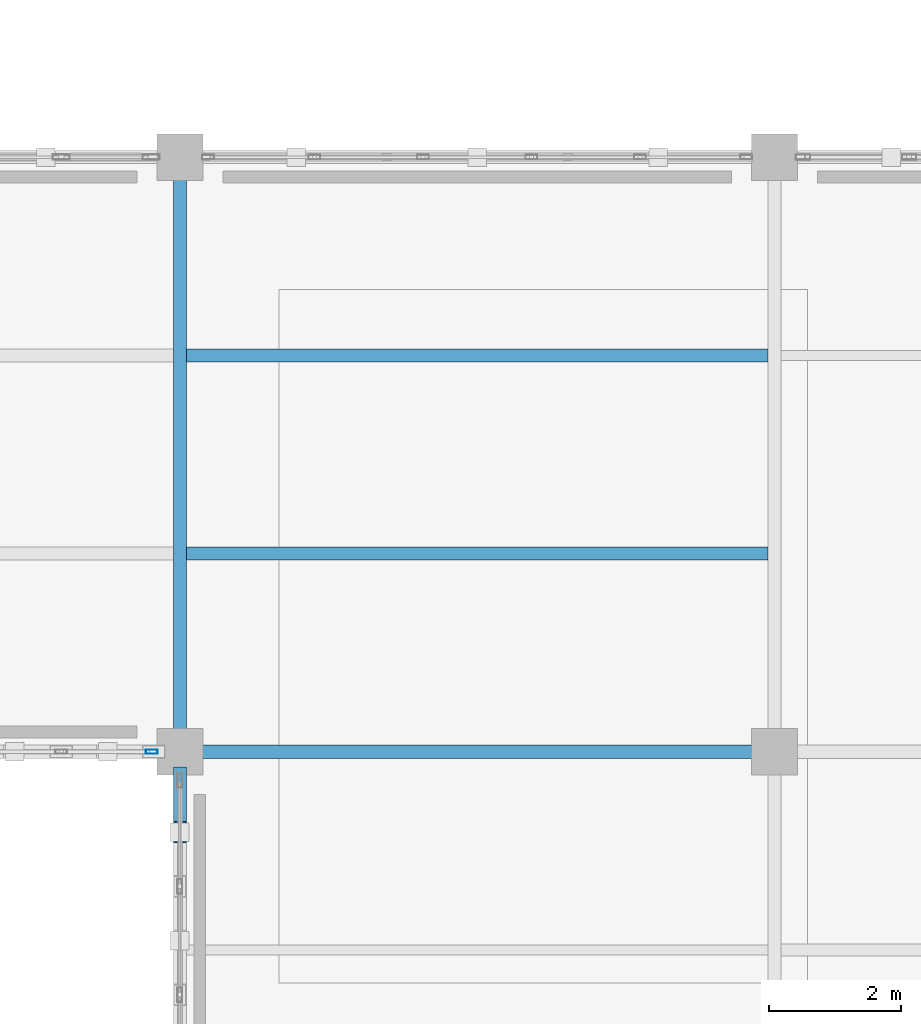
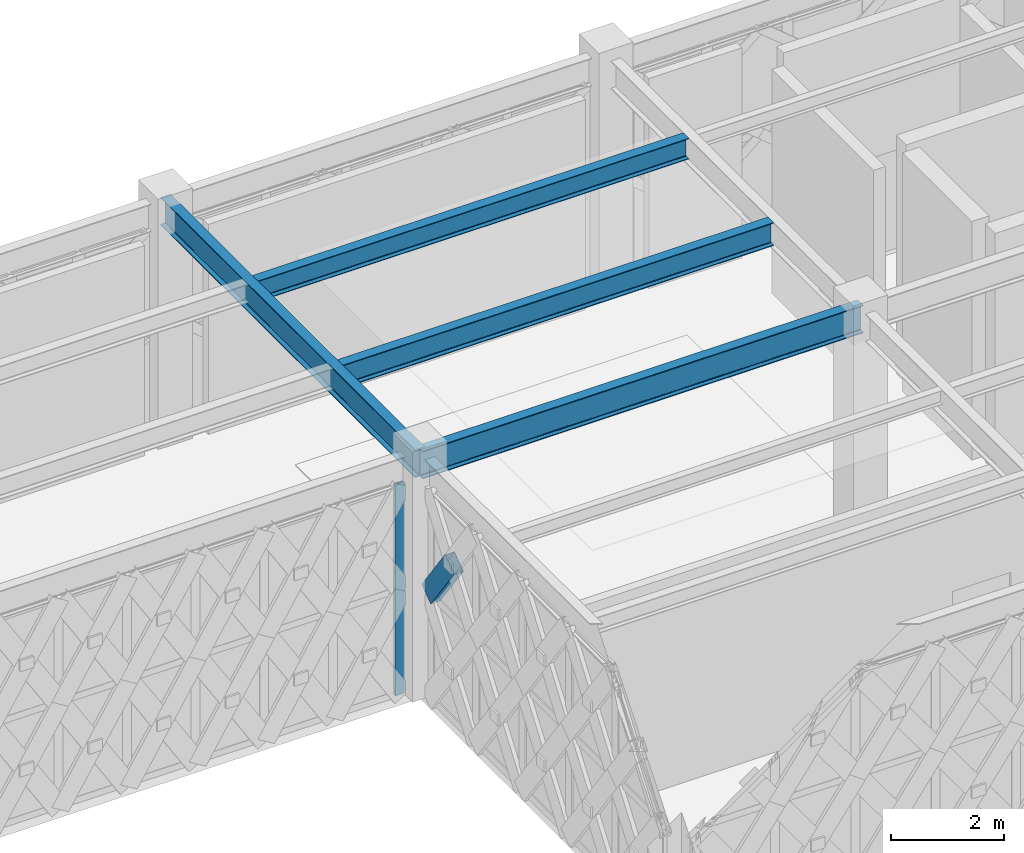
# One storey, part 6 of 72: 4 beams, 2 members, 1 element without a shape of its own.
"""IFC4 building model written with IfcOpenShell, lengths in metres."""

import ifcopenshell
import ifcopenshell.guid

model = None  # the IFC model being written
_history = None  # IfcOwnerHistory: only IFC2X3 demands one
_inside = {}  # id of a spatial element -> (the spatial element, [elements in it])
_under = {}  # id of a project, library or spatial element -> (it, [spatial elements below it])
_declared = {}  # id of a project -> (the project, [libraries it declares])
_typed = {}  # id of a type object -> (the type object, [elements of that type])
_made_of = {}  # id of a material, layer set ... -> (it, [elements and type objects made of it])


def new_model(schema):
    """Start an empty IFC model of exactly this schema.

    Asked for "IFC4X3", IfcOpenShell would pick the latest addendum, in which some entities
    have other attributes; the version numbers below select the first issue.
    IFC2X3 requires an IfcOwnerHistory on every rooted entity: one is made here for all.
    """
    global model, _history
    if schema == "IFC4X3":
        model = ifcopenshell.file(schema_version=(4, 3, 0, 0))
    else:
        model = ifcopenshell.file(schema=schema)
    _inside.clear()
    _under.clear()
    _declared.clear()
    _typed.clear()
    _made_of.clear()
    _history = None
    if model.schema == "IFC2X3":
        org = make("IfcOrganization", Name="unknown")
        user = make(
            "IfcPersonAndOrganization",
            ThePerson=make("IfcPerson", FamilyName="unknown"),
            TheOrganization=org,
        )
        app = make(
            "IfcApplication",
            ApplicationDeveloper=org,
            Version="unknown",
            ApplicationFullName="unknown",
            ApplicationIdentifier="unknown",
        )
        _history = make(
            "IfcOwnerHistory",
            OwningUser=user,
            OwningApplication=app,
            ChangeAction="ADDED",
            CreationDate=0,
        )
    return model


def make(cls, **values):
    """One entity of the class cls with the attributes given. An attribute that is None is left unset."""
    return model.create_entity(
        cls, **{name: value for name, value in values.items() if value is not None}
    )


def rooted(cls, **values):
    """An entity with a GlobalId (a new one), such as an element, a storey or a relation."""
    return make(cls, GlobalId=ifcopenshell.guid.new(), OwnerHistory=_history, **values)


def si_unit(unit_type, name, prefix=None):
    """IfcSIUnit, for example si_unit("LENGTHUNIT", "METRE", prefix="MILLI")."""
    return make("IfcSIUnit", UnitType=unit_type, Prefix=prefix, Name=name)


def assignment(units):
    """IfcUnitAssignment: the units of a project."""
    return None if units is None else make("IfcUnitAssignment", Units=units)


def point(xyz):
    """IfcCartesianPoint."""
    return None if xyz is None else make("IfcCartesianPoint", Coordinates=xyz)


def direction(xyz):
    """IfcDirection."""
    return None if xyz is None else make("IfcDirection", DirectionRatios=xyz)


def frame(location, z_axis=None, x_axis=None):
    """IfcAxis2Placement3D, a coordinate frame: its origin and axes. An axis left out is left unset."""
    return make(
        "IfcAxis2Placement3D",
        Location=point(location),
        Axis=direction(z_axis),
        RefDirection=direction(x_axis),
    )


def frame_2d(location, x_axis=None):
    """IfcAxis2Placement2D, a coordinate frame in the plane: its origin and x axis."""
    return make(
        "IfcAxis2Placement2D", Location=point(location), RefDirection=direction(x_axis)
    )


def origin():
    """The frame at (0, 0, 0) with its axes left unset."""
    return frame((0.0, 0.0, 0.0))


def origin_2d():
    """The frame at (0, 0) in the plane with its x axis left unset."""
    return frame_2d((0.0, 0.0))


def place(relative_to, where):
    """IfcLocalPlacement: puts the frame where relative to a parent placement (None: the world)."""
    return make(
        "IfcLocalPlacement", PlacementRelTo=relative_to, RelativePlacement=where
    )


def context(
    kind, dimensions, precision=None, world=None, true_north=None, identifier=None
):
    """IfcGeometricRepresentationContext, for example the 3D "Model" context."""
    return make(
        "IfcGeometricRepresentationContext",
        ContextIdentifier=identifier,
        ContextType=kind,
        CoordinateSpaceDimension=dimensions,
        Precision=precision,
        WorldCoordinateSystem=world,
        TrueNorth=true_north,
    )


def subcontext(parent, identifier, kind, view, scale=None):
    """IfcGeometricRepresentationSubContext, for example "Body" below "Model"."""
    return make(
        "IfcGeometricRepresentationSubContext",
        ContextIdentifier=identifier,
        ContextType=kind,
        ParentContext=parent,
        TargetScale=scale,
        TargetView=view,
    )


def project(units=None, contexts=None):
    """IfcProject with its units and contexts."""
    return rooted(
        "IfcProject",
        Name="project",
        RepresentationContexts=contexts,
        UnitsInContext=assignment(units),
    )


def spatial(cls, under=None, at=None, **own):
    """A site, building, storey or space (cls), placed at a placement, below another one or the project."""
    s = rooted(cls, ObjectPlacement=at, **own)
    if under is not None:
        _under.setdefault(under.id(), (under, []))[1].append(s)
    return s


def profile(cls, at=None, kind="AREA", **sizes):
    """A parametric profile (cls). Its sizes go by their IFC names, for example OverallWidth=200.0."""
    return make(cls, ProfileType=kind, Position=at, **sizes)


def hollow_rectangle(**sizes):
    """IfcRectangleHollowProfileDef."""
    return profile("IfcRectangleHollowProfileDef", **sizes)


def i_section(**sizes):
    """IfcIShapeProfileDef."""
    return profile("IfcIShapeProfileDef", **sizes)


def extrude(swept, where, along, depth):
    """IfcExtrudedAreaSolid: the profile swept, set in the frame where, extruded along a direction by depth."""
    return make(
        "IfcExtrudedAreaSolid",
        SweptArea=swept,
        Position=where,
        ExtrudedDirection=direction(along),
        Depth=depth,
    )


def shape(context_of_items, identifier, shape_type, items):
    """IfcShapeRepresentation: the items that make up one representation, for example the "Body"."""
    return make(
        "IfcShapeRepresentation",
        ContextOfItems=context_of_items,
        RepresentationIdentifier=identifier,
        RepresentationType=shape_type,
        Items=items,
    )


def material(Name=None, Category=None):
    """IfcMaterial."""
    return make("IfcMaterial", Name=Name, Category=Category)


def material_profile(
    of_material, cross_section, Name=None, Category=None, Priority=None
):
    """IfcMaterialProfile: a cross section and its material."""
    return make(
        "IfcMaterialProfile",
        Name=Name,
        Material=of_material,
        Profile=cross_section,
        Priority=Priority,
        Category=Category,
    )


def profile_set(profiles, Name=None, composite=None):
    """IfcMaterialProfileSet."""
    return make(
        "IfcMaterialProfileSet",
        Name=Name,
        MaterialProfiles=profiles,
        CompositeProfile=composite,
    )


def made_of(thing, what):
    """Note that an element or type object is made of a material, layer set ...; save() writes the relation."""
    if what is not None:
        _made_of.setdefault(what.id(), (what, []))[1].append(thing)
    return thing


def type_object(cls, material=None, **own):
    """A type object (cls), such as IfcWallType, which elements share."""
    return made_of(rooted(cls, **own), material)


def element(
    cls,
    number,
    at=None,
    inside=None,
    cuts=None,
    type_object=None,
    material=None,
    context=None,
    identifier="Body",
    shape_type=None,
    held_by="IfcProductDefinitionShape",
    body=None,
    shapes=None,
    **own,
):
    """One element of the class cls, such as IfcWall. Its Tag is "e" and its number.

    at: its placement. inside: the storey or other place that contains it. cuts: it is an
    opening in that element (IfcRelVoidsElement). A single representation is given by context,
    identifier, shape_type and body (its items); several are given by shapes. held_by: the class
    of the entity that holds the representations. save() writes the other relations.
    """
    e = rooted(cls, Tag="e%d" % number, ObjectPlacement=at, **own)
    if body is not None:
        shapes = [shape(context, identifier, shape_type, body)]
    if shapes is not None:
        e.Representation = make(held_by, Representations=shapes)
    if inside is not None:
        _inside.setdefault(inside.id(), (inside, []))[1].append(e)
    if cuts is not None:
        rooted(
            "IfcRelVoidsElement", RelatingBuildingElement=cuts, RelatedOpeningElement=e
        )
    if type_object is not None:
        _typed.setdefault(type_object.id(), (type_object, []))[1].append(e)
    return made_of(e, material)


def aggregate(whole, parts):
    """IfcRelAggregates: a whole, such as a stair, and the parts it consists of."""
    return rooted("IfcRelAggregates", RelatingObject=whole, RelatedObjects=parts)


def save(model, path):
    """Write the relations noted so far, then the file.

    IfcRelAggregates (storeys below a building ...), IfcRelContainedInSpatialStructure (elements
    in a storey), IfcRelDefinesByType, IfcRelAssociatesMaterial and IfcRelDeclares: one each for
    every whole, place, type object, material and project.
    """
    for whole, parts in _under.values():
        aggregate(whole, parts)
    for where, things in _inside.values():
        rooted(
            "IfcRelContainedInSpatialStructure",
            RelatedElements=things,
            RelatingStructure=where,
        )
    for kind, things in _typed.values():
        rooted("IfcRelDefinesByType", RelatedObjects=things, RelatingType=kind)
    for what, things in _made_of.values():
        rooted("IfcRelAssociatesMaterial", RelatedObjects=things, RelatingMaterial=what)
    for by, libraries in _declared.values():
        rooted("IfcRelDeclares", RelatingContext=by, RelatedDefinitions=libraries)
    model.write(path)


model = new_model("IFC4")

# Units and contexts
model_context = context("Model", 3, precision=1e-05, world=origin(), true_north=direction((0.0, 1.0)))
body_context = subcontext(model_context, "Body", "Model", "MODEL_VIEW")
ifc_project = project(units=[si_unit("LENGTHUNIT", "METRE"), si_unit("AREAUNIT", "SQUARE_METRE"), si_unit("VOLUMEUNIT", "CUBIC_METRE"), si_unit("PLANEANGLEUNIT", "RADIAN"), si_unit("MASSUNIT", "GRAM", prefix="KILO")], contexts=[model_context])

# Site, building, storey
site_placement = place(None, origin())
site = spatial("IfcSite", under=ifc_project, at=site_placement, CompositionType="ELEMENT")
building_placement = place(site_placement, origin())
building = spatial("IfcBuilding", under=site, at=building_placement, Name="Haizhuo Lancet Aquarium", CompositionType="ELEMENT")
storey_placement = place(building_placement, frame((0.0, 0.0, 21.60009765625)))
storey = spatial("IfcBuildingStorey", under=building, at=storey_placement, Name="L04", CompositionType="ELEMENT", Elevation=21.60009765625)

# Beams
ifc_material_1 = material(Name="Steel S355", Category="steel")
ifc_material_profile_1 = material_profile(ifc_material_1, i_section(OverallWidth=0.199951171875, OverallDepth=0.60009765625, WebThickness=0.010986328125, FlangeThickness=0.01708984375, FilletRadius=0.02197265625, at=origin_2d()), Name="HN 600x200x11x17")
ifc_profile_set_1 = profile_set([ifc_material_profile_1], Name="Steel S355")
beam_type_1 = type_object("IfcBeamType", Name="BM-ST-HN600", PredefinedType="BEAM", material=ifc_profile_set_1)
for number, where, z_axis, x_axis, name in (
    (1, (-72.0, -18.0, 4.849853515625), (0.0, 1.0, 0.0), (-1.0, 0.0, 0.0), "L04 V6 primary girder BM-L04-V6-006"),
    (2, (-72.0, -18.0, 4.849853515625), (1.0, 0.0, 0.0), (0.0, 1.0, 0.0), "L04 V6 primary girder BM-L04-V6-007"),
):
    element("IfcBeam", number, at=place(storey_placement, frame(where, z_axis=z_axis, x_axis=x_axis)), inside=storey, type_object=beam_type_1, Name=name, PredefinedType="BEAM", context=body_context, shape_type="SweptSolid", body=[
        extrude(i_section(OverallWidth=0.199951171875, OverallDepth=0.60009765625, WebThickness=0.010986328125, FlangeThickness=0.01708984375, FilletRadius=0.02197265625, at=origin_2d()), origin(), (0.0, 0.0, 1.0), 9.0),
    ])

# Curtain wall, member
ifc_material_2 = material(Name="Aluminium 6063-T6", Category="aluminium")
curtain_wall_type = type_object("IfcCurtainWallType", Name="CWD-9810x4550", PredefinedType="NOTDEFINED", material=ifc_material_2)
curtain_wall_placement = place(storey_placement, origin())
curtain_wall = element("IfcCurtainWall", 3, at=curtain_wall_placement, inside=storey, type_object=curtain_wall_type, Name="L04 curtain wall CW-V6-L04-244", PredefinedType="NOTDEFINED")
ifc_material_profile_2 = material_profile(ifc_material_2, hollow_rectangle(XDim=0.06494140625, YDim=0.179931640625, WallThickness=0.00390625, at=origin_2d()), Name="ALU-M 65x180x4")
ifc_profile_set_2 = profile_set([ifc_material_profile_2], Name="Aluminium 6063-T6")
member_type_1 = type_object("IfcMemberType", Name="CW-MUL-1", PredefinedType="MULLION", material=ifc_profile_set_2)
member_1_placement = place(storey_placement, frame((-72.427001953125, -18.0, 0.0), z_axis=(0.0, 0.0, 1.0), x_axis=(0.0, -1.0, 0.0)))
member_1 = element("IfcMember", 4, at=member_1_placement, type_object=member_type_1, Name="CWD-98x45 mullion 1", PredefinedType="MULLION", context=body_context, shape_type="SweptSolid", body=[
    extrude(hollow_rectangle(XDim=0.06494140625, YDim=0.179931640625, WallThickness=0.00390625, at=origin_2d()), origin(), (0.0, 0.0, 1.0), 4.5498046875),
])
aggregate(curtain_wall, [member_1])

# Beams
ifc_material_profile_3 = material_profile(ifc_material_1, i_section(OverallWidth=0.199951171875, OverallDepth=0.449951171875, WebThickness=0.009033203125, FlangeThickness=0.013916015625, FilletRadius=0.01806640625, at=origin_2d()), Name="HN 450x200x9x14")
ifc_profile_set_3 = profile_set([ifc_material_profile_3], Name="Steel S355")
beam_type_2 = type_object("IfcBeamType", Name="JST-ST-HN450", PredefinedType="JOIST", material=ifc_profile_set_3)
beam_1_placement = place(storey_placement, frame((-71.89990234375, -12.0, 4.9248046875), z_axis=(1.0, 0.0, 0.0), x_axis=(0.0, 1.0, 0.0)))
element("IfcBeam", 5, at=beam_1_placement, inside=storey, type_object=beam_type_2, Name="L04 V6 secondary floor joist 6", PredefinedType="JOIST", context=body_context, shape_type="SweptSolid", body=[
    extrude(i_section(OverallWidth=0.199951171875, OverallDepth=0.449951171875, WebThickness=0.009033203125, FlangeThickness=0.013916015625, FilletRadius=0.01806640625, at=origin_2d()), origin(), (0.0, 0.0, 1.0), 8.7998046875),
])
ifc_material_profile_4 = material_profile(ifc_material_1, i_section(OverallWidth=0.199951171875, OverallDepth=0.5, WebThickness=0.010009765625, FlangeThickness=0.01611328125, FilletRadius=0.02001953125, at=origin_2d()), Name="HN 500x200x10x16")
ifc_profile_set_4 = profile_set([ifc_material_profile_4], Name="Steel S355")
beam_type_3 = type_object("IfcBeamType", Name="JST-ST-HN500", PredefinedType="JOIST", material=ifc_profile_set_4)
beam_2_placement = place(storey_placement, frame((-71.89990234375, -15.0, 4.89990234375), z_axis=(1.0, 0.0, 0.0), x_axis=(0.0, 1.0, 0.0)))
element("IfcBeam", 6, at=beam_2_placement, inside=storey, type_object=beam_type_3, Name="L04 V6 secondary floor joist 5", PredefinedType="JOIST", context=body_context, shape_type="SweptSolid", body=[
    extrude(i_section(OverallWidth=0.199951171875, OverallDepth=0.5, WebThickness=0.010009765625, FlangeThickness=0.01611328125, FilletRadius=0.02001953125, at=origin_2d()), origin(), (0.0, 0.0, 1.0), 8.7998046875),
])

# Member
ifc_material_profile_5 = material_profile(ifc_material_1, hollow_rectangle(XDim=0.199951171875, YDim=0.39990234375, WallThickness=0.011962890625, at=origin_2d()), Name="RHS 200x400x12")
ifc_profile_set_5 = profile_set([ifc_material_profile_5], Name="Steel S355")
member_type_2 = type_object("IfcMemberType", Name="MEM-LB-RHS200x400", PredefinedType="BRACE", material=ifc_profile_set_5)
member_2_placement = place(storey_placement, frame((-72.0, -18.39501953125, 2.27490234375), z_axis=(0.0, -0.585446060787, 0.810711360417), x_axis=(1.0, 0.0, 0.0)))
element("IfcMember", 7, at=member_2_placement, inside=storey, type_object=member_type_2, Name="Gothic lancet split diagonal brace CW-V6-L04-257 10B1", PredefinedType="BRACE", context=body_context, shape_type="SweptSolid", body=[
    extrude(hollow_rectangle(XDim=0.199951171875, YDim=0.39990234375, WallThickness=0.011962890625, at=origin_2d()), origin(), (0.0, 0.0, 1.0), 1.40234375),
])

save(model, "model.ifc")
